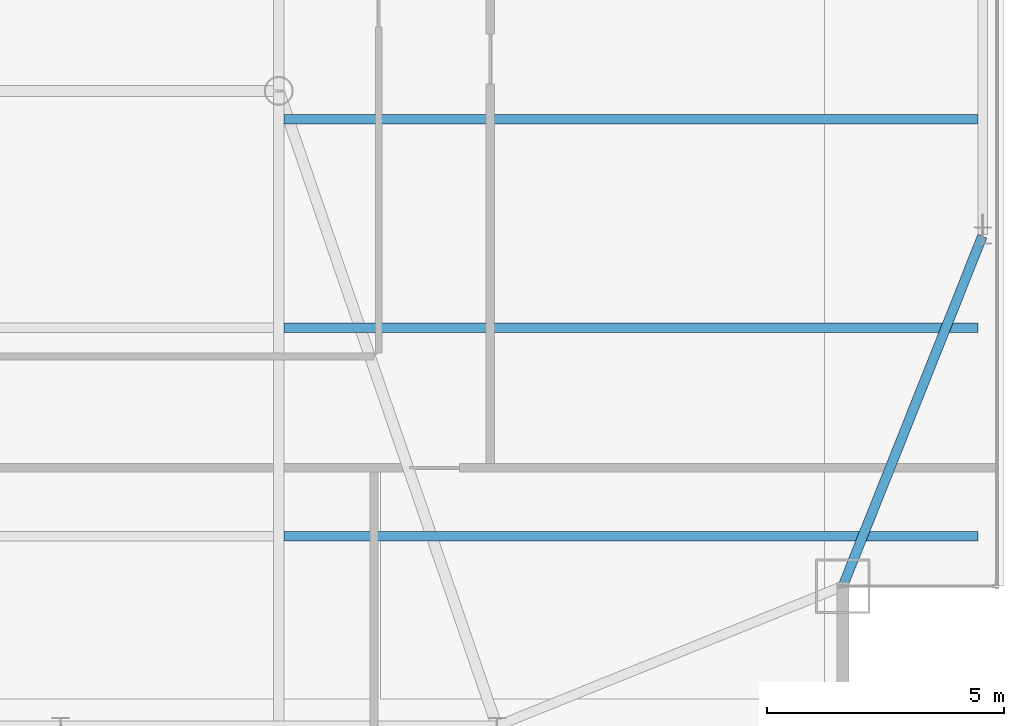
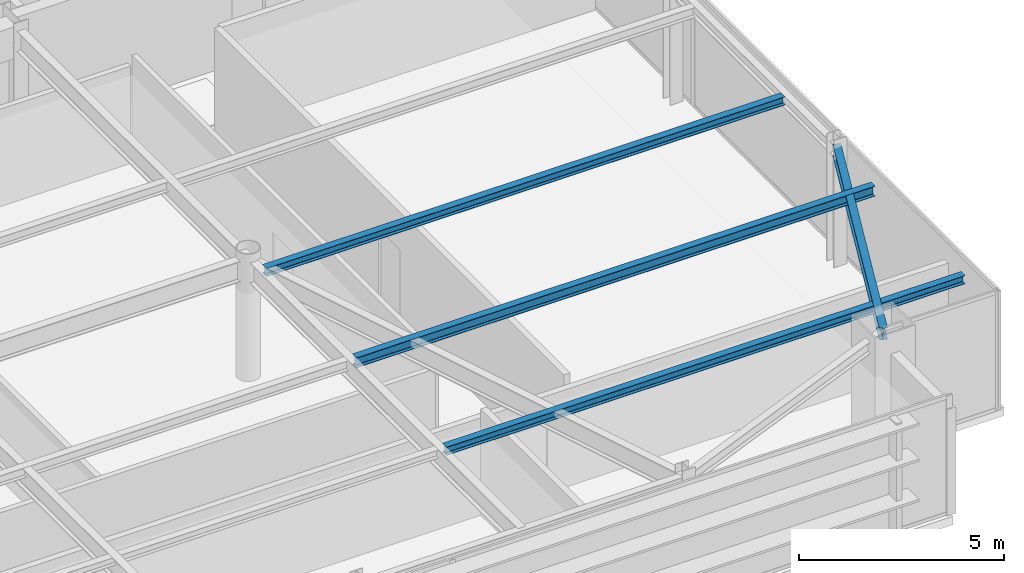
# One storey, part 12 of 25: 4 beams.
"""IFC4 building model written with IfcOpenShell, lengths in metres."""

from ifc_helpers import new_model, si_unit, direction, frame, origin, origin_2d, place, context, subcontext, project, spatial, i_section, extrude, source, transform, mapped, material, material_profile, profile_set, type_object, type_shapes, element, save


model = new_model("IFC4")

# Units and contexts
model_context = context("Model", 3, precision=1e-05, world=origin(), true_north=direction((0.0, 1.0)))
body_context = subcontext(model_context, "Body", "Model", "MODEL_VIEW")
ifc_project = project(units=[si_unit("LENGTHUNIT", "METRE"), si_unit("AREAUNIT", "SQUARE_METRE"), si_unit("VOLUMEUNIT", "CUBIC_METRE"), si_unit("PLANEANGLEUNIT", "RADIAN"), si_unit("MASSUNIT", "GRAM", prefix="KILO")], contexts=[model_context])

# Site, building, storey
site_placement = place(None, origin())
site = spatial("IfcSite", under=ifc_project, at=site_placement, CompositionType="ELEMENT")
building_placement = place(site_placement, origin())
building = spatial("IfcBuilding", under=site, at=building_placement, Name="Varnel Quay Broadcast Tower", CompositionType="ELEMENT")
storey_placement = place(building_placement, frame((0.0, 0.0, 226.39990234375)))
storey = spatial("IfcBuildingStorey", under=building, at=storey_placement, Name="L56", CompositionType="ELEMENT", Elevation=226.39990234375)

# Beams
ifc_material = material(Name="Structural Steel CSA G40.21 350W", Category="steel")
ifc_material_profile_1 = material_profile(ifc_material, i_section(OverallWidth=0.205078125, OverallDepth=0.35400390625, WebThickness=0.009521484375, FlangeThickness=0.016845703125, FilletRadius=0.012939453125, at=origin_2d()), Name="W360X79")
ifc_profile_set_1 = profile_set([ifc_material_profile_1], Name="Structural Steel CSA G40.21 350W")
beam_type_1 = type_object("IfcBeamType", Name="Beam_W360X79", PredefinedType="SPANDREL", material=ifc_profile_set_1)
shared_shape_1 = source(origin(), body_context, "Body", "SweptSolid", [
    extrude(i_section(OverallWidth=0.205078125, OverallDepth=0.35400390625, WebThickness=0.009521484375, FlangeThickness=0.016845703125, FilletRadius=0.012939453125, at=origin_2d()), origin(), (0.0, 0.0, 1.0), 7.92626953125),
])
type_shapes(beam_type_1, [shared_shape_1])
beam_1_placement = place(storey_placement, frame((55.107421875, 13.61865234375, 3.373046875), z_axis=(0.370296431883, 0.928913641053, 0.0), x_axis=(-0.928913641053, 0.370296431883, 0.0)))
element("IfcBeam", 1, at=beam_1_placement, inside=storey, type_object=beam_type_1, Name="L56 East Spandrel MC-SE-TC-E1", PredefinedType="SPANDREL", context=body_context, shape_type="MappedRepresentation", body=[
    mapped(shared_shape_1, transform((0.0, 0.0, 0.0), x_axis=(1.0, 0.0, 0.0), y_axis=(0.0, 1.0, 0.0), z_axis=(0.0, 0.0, 1.0), scale=1.0)),
])
ifc_material_profile_2 = material_profile(ifc_material, i_section(OverallWidth=0.201904296875, OverallDepth=0.2470703125, WebThickness=0.00732421875, FlangeThickness=0.010986328125, FilletRadius=0.010986328125, at=origin_2d()), Name="W250X49")
ifc_profile_set_2 = profile_set([ifc_material_profile_2], Name="Structural Steel CSA G40.21 350W")
beam_type_2 = type_object("IfcBeamType", Name="Beam_W250X49", PredefinedType="JOIST", material=ifc_profile_set_2)
shared_shape_2 = source(origin(), body_context, "Body", "SweptSolid", [
    extrude(i_section(OverallWidth=0.201904296875, OverallDepth=0.2470703125, WebThickness=0.00732421875, FlangeThickness=0.010986328125, FilletRadius=0.010986328125, at=origin_2d()), origin(), (0.0, 0.0, 1.0), 14.642333984375),
])
type_shapes(beam_type_2, [shared_shape_2])
for number, where, z_axis, x_axis, name in (
    (2, (43.31005859375, 14.64990234375, 3.426513671875), (1.0, 0.0, 0.0), (0.0, 1.0, 0.0), "L56 East Floor Joist 1"),
    (3, (43.31005859375, 23.449951171875, 3.426513671875), (1.0, 0.0, 0.0), (0.0, 1.0, 0.0), "L56 East Floor Joist 3"),
):
    element("IfcBeam", number, at=place(storey_placement, frame(where, z_axis=z_axis, x_axis=x_axis)), inside=storey, type_object=beam_type_2, Name=name, PredefinedType="JOIST", context=body_context, shape_type="MappedRepresentation", body=[
        mapped(shared_shape_2, transform((0.0, 0.0, 0.0), x_axis=(1.0, 0.0, 0.0), y_axis=(0.0, 1.0, 0.0), z_axis=(0.0, 0.0, 1.0), scale=1.0)),
    ])
ifc_material_profile_3 = material_profile(ifc_material, i_section(OverallWidth=0.202880859375, OverallDepth=0.302978515625, WebThickness=0.007568359375, FlangeThickness=0.01318359375, FilletRadius=0.011962890625, at=origin_2d()), Name="W310X60")
ifc_profile_set_3 = profile_set([ifc_material_profile_3], Name="Structural Steel CSA G40.21 350W")
beam_type_3 = type_object("IfcBeamType", Name="Beam_W310X60", PredefinedType="JOIST", material=ifc_profile_set_3)
shared_shape_3 = source(origin(), body_context, "Body", "SweptSolid", [
    extrude(i_section(OverallWidth=0.202880859375, OverallDepth=0.302978515625, WebThickness=0.007568359375, FlangeThickness=0.01318359375, FilletRadius=0.011962890625, at=origin_2d()), origin(), (0.0, 0.0, 1.0), 14.642333984375),
])
type_shapes(beam_type_3, [shared_shape_3])
beam_2_placement = place(storey_placement, frame((43.31005859375, 19.050048828125, 3.398681640625), z_axis=(1.0, 0.0, 0.0), x_axis=(0.0, 1.0, 0.0)))
element("IfcBeam", 4, at=beam_2_placement, inside=storey, type_object=beam_type_3, Name="L56 East Floor Joist 2", PredefinedType="JOIST", context=body_context, shape_type="MappedRepresentation", body=[
    mapped(shared_shape_3, transform((0.0, 0.0, 0.0), x_axis=(1.0, 0.0, 0.0), y_axis=(0.0, 1.0, 0.0), z_axis=(0.0, 0.0, 1.0), scale=1.0)),
])

save(model, "model.ifc")
